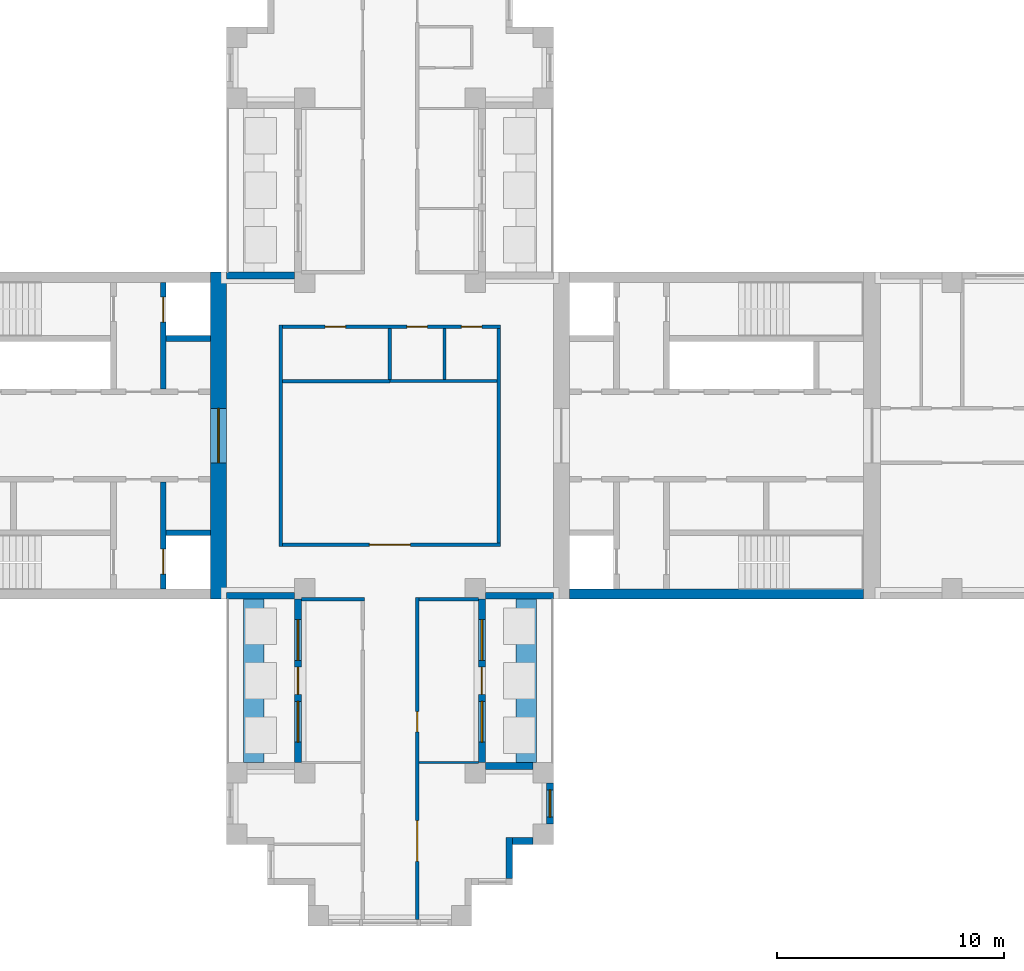
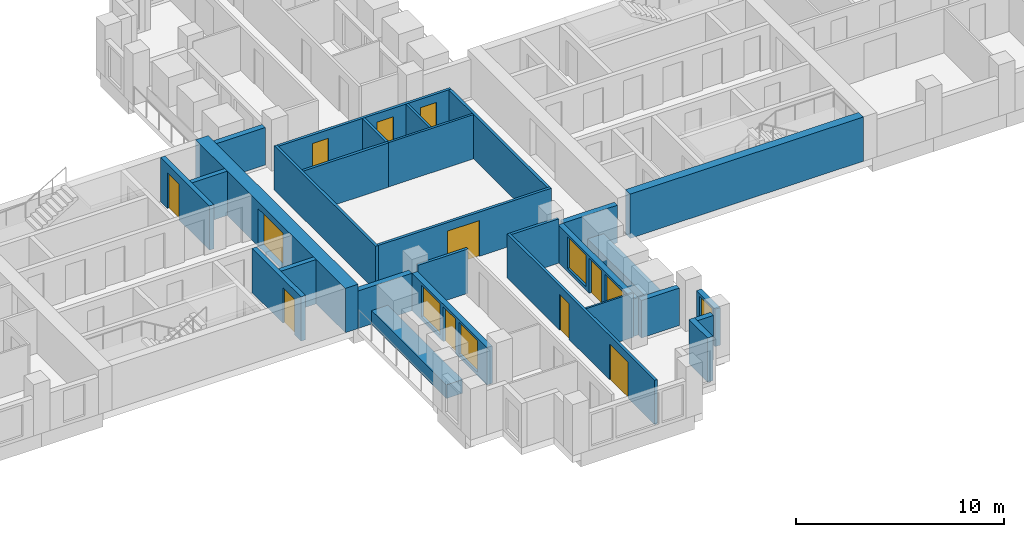
# One storey, part 5 of 11: 29 walls, 11 doors, 5 windows, 16 openings.
"""IFC4 building model written with IfcOpenShell, lengths in metres."""

from ifc_helpers import new_model, si_unit, direction, frame, frame_2d, origin, place, context, subcontext, project, spatial, rectangle, extrude, material, layer, layer_set, type_object, element, fill, save


model = new_model("IFC4")

# Units and contexts
model_context = context("Model", 3, precision=1e-05, world=origin(), true_north=direction((0.0, 1.0)))
body_context = subcontext(model_context, "Body", "Model", "MODEL_VIEW")
ifc_project = project(units=[si_unit("LENGTHUNIT", "METRE"), si_unit("AREAUNIT", "SQUARE_METRE"), si_unit("VOLUMEUNIT", "CUBIC_METRE"), si_unit("PLANEANGLEUNIT", "RADIAN"), si_unit("MASSUNIT", "GRAM", prefix="KILO")], contexts=[model_context])

# Site, building, storey
site_placement = place(None, origin())
site = spatial("IfcSite", under=ifc_project, at=site_placement, CompositionType="ELEMENT")
building_placement = place(site_placement, origin())
building = spatial("IfcBuilding", under=site, at=building_placement, Name="Fustian Cross Tower", CompositionType="ELEMENT")
storey_placement = place(building_placement, frame((0.0, 0.0, 138.300048828125)))
storey = spatial("IfcBuildingStorey", under=building, at=storey_placement, Name="L43", CompositionType="ELEMENT", Elevation=138.300048828125)

# Wall
ifc_material_1 = material(Name="Plasterboard on steel stud", Category="steel")
ifc_layer_1 = layer(ifc_material_1, 0.14990234375)
ifc_layer_set_1 = layer_set([ifc_layer_1], Name="Plasterboard on steel stud")
wall_type_1 = type_object("IfcWallType", Name="COMPARTMENT WALL 150 EI 60", PredefinedType="PARTITIONING", material=ifc_layer_set_1)
wall_1_placement = place(storey_placement, frame((-4.800048828125, -4.875, 0.0), z_axis=(0.0, 0.0, 1.0), x_axis=(0.0, 1.0, 0.0)))
element("IfcWall", 1, at=wall_1_placement, inside=storey, type_object=wall_type_1, Name="Partition 12", PredefinedType="PARTITIONING", context=body_context, shape_type="SweptSolid", body=[
    extrude(rectangle(XDim=9.75, YDim=0.14990234375, at=frame_2d((4.875, 0.0))), origin(), (0.0, 0.0, 1.0), 2.599853515625),
])

# Wall, opening, door
wall_2_placement = place(storey_placement, frame((-4.72509765625, -4.800048828125, 0.0), z_axis=(0.0, 0.0, 1.0), x_axis=(1.0, 0.0, 0.0)))
wall_2 = element("IfcWall", 2, at=wall_2_placement, inside=storey, type_object=wall_type_1, Name="Partition 13", PredefinedType="PARTITIONING", context=body_context, shape_type="SweptSolid", body=[
    extrude(rectangle(XDim=9.60009765625, YDim=0.14990234375, at=frame_2d((4.800048828125, 0.0))), origin(), (0.0, 0.0, 1.0), 2.599853515625),
])
opening_1_placement = place(wall_2_placement, frame((3.824951171875, 0.0, 0.0)))
opening_1 = element("IfcOpeningElement", 3, at=opening_1_placement, cuts=wall_2, Name="Opening D20004", PredefinedType="OPENING", context=body_context, shape_type="SweptSolid", body=[
    extrude(rectangle(XDim=1.800048828125, YDim=2.10009765625, at=frame_2d((0.89990234375, 1.050048828125))), frame((0.0, 0.0849609375, 0.0), z_axis=(0.0, -1.0, 0.0), x_axis=(1.0, 0.0, 0.0)), (0.0, 0.0, 1.0), 0.169921875),
])
ifc_material_2 = material(Name="Timber fire door set", Category="wood")
door_type_1 = type_object("IfcDoorType", Name="FIRE DOUBLE DOOR 1800 FD30S", OperationType="DOUBLE_DOOR_DOUBLE_SWING", PredefinedType="DOOR", material=ifc_material_2)
door_1_placement = place(opening_1_placement, frame((1.800048828125, 0.0, 0.0), z_axis=(0.0, 0.0, 1.0), x_axis=(-1.0, 0.0, 0.0)))
door_1 = element("IfcDoor", 4, at=door_1_placement, inside=storey, type_object=door_type_1, Name="Door D20004", OperationType="DOUBLE_DOOR_DOUBLE_SWING", OverallHeight=2.10009765625, OverallWidth=1.800048828125, PredefinedType="DOOR", context=body_context, shape_type="SweptSolid", body=[
    extrude(rectangle(XDim=1.800048828125, YDim=2.10009765625, at=frame_2d((0.89990234375, 1.050048828125))), frame((0.0, 0.02490234375, 0.0), z_axis=(0.0, -1.0, 0.0), x_axis=(1.0, 0.0, 0.0)), (0.0, 0.0, 1.0), 0.050048828125),
])
fill(opening_1, door_1)

# Wall
wall_3_placement = place(storey_placement, frame((-4.72509765625, 2.39990234375, 0.0), z_axis=(0.0, 0.0, 1.0), x_axis=(1.0, 0.0, 0.0)))
element("IfcWall", 5, at=wall_3_placement, inside=storey, type_object=wall_type_1, Name="Partition 14", PredefinedType="PARTITIONING", context=body_context, shape_type="SweptSolid", body=[
    extrude(rectangle(XDim=4.72509765625, YDim=0.14990234375, at=frame_2d((2.362548828125, 0.0))), origin(), (0.0, 0.0, 1.0), 2.599853515625),
])

# Wall, openings, doors
wall_4_placement = place(storey_placement, frame((-4.72509765625, 4.800048828125, 0.0), z_axis=(0.0, 0.0, 1.0), x_axis=(1.0, 0.0, 0.0)))
wall_4 = element("IfcWall", 6, at=wall_4_placement, inside=storey, type_object=wall_type_1, Name="Partition 15", PredefinedType="PARTITIONING", context=body_context, shape_type="SweptSolid", body=[
    extrude(rectangle(XDim=9.60009765625, YDim=0.14990234375, at=frame_2d((4.800048828125, 0.0))), origin(), (0.0, 0.0, 1.0), 2.599853515625),
])
opening_2_placement = place(wall_4_placement, frame((7.875, 0.0, 0.0)))
opening_2 = element("IfcOpeningElement", 7, at=opening_2_placement, cuts=wall_4, Name="Opening D20001", PredefinedType="OPENING", context=body_context, shape_type="SweptSolid", body=[
    extrude(rectangle(XDim=0.89990234375, YDim=2.10009765625, at=frame_2d((0.449951171875, 1.050048828125))), frame((0.0, 0.0849609375, 0.0), z_axis=(0.0, -1.0, 0.0), x_axis=(1.0, 0.0, 0.0)), (0.0, 0.0, 1.0), 0.169921875),
])
opening_3_placement = place(wall_4_placement, frame((5.47509765625, 0.0, 0.0)))
opening_3 = element("IfcOpeningElement", 8, at=opening_3_placement, cuts=wall_4, Name="Opening D20002", PredefinedType="OPENING", context=body_context, shape_type="SweptSolid", body=[
    extrude(rectangle(XDim=0.89990234375, YDim=2.10009765625, at=frame_2d((0.449951171875, 1.050048828125))), frame((0.0, 0.0849609375, 0.0), z_axis=(0.0, -1.0, 0.0), x_axis=(1.0, 0.0, 0.0)), (0.0, 0.0, 1.0), 0.169921875),
])
opening_4_placement = place(wall_4_placement, frame((1.875, 0.0, 0.0)))
opening_4 = element("IfcOpeningElement", 9, at=opening_4_placement, cuts=wall_4, Name="Opening D20003", PredefinedType="OPENING", context=body_context, shape_type="SweptSolid", body=[
    extrude(rectangle(XDim=0.89990234375, YDim=2.10009765625, at=frame_2d((0.449951171875, 1.050048828125))), frame((0.0, 0.0849609375, 0.0), z_axis=(0.0, -1.0, 0.0), x_axis=(1.0, 0.0, 0.0)), (0.0, 0.0, 1.0), 0.169921875),
])
ifc_material_3 = material(Name="Timber fire door set", Category="wood")
door_type_2 = type_object("IfcDoorType", Name="FIRE SWING DOOR 900 FD30S", OperationType="SINGLE_SWING_LEFT", PredefinedType="DOOR", material=ifc_material_3)
door_2_placement = place(opening_2_placement, frame((0.89990234375, 0.0, 0.0), z_axis=(0.0, 0.0, 1.0), x_axis=(-1.0, 0.0, 0.0)))
door_2 = element("IfcDoor", 10, at=door_2_placement, inside=storey, type_object=door_type_2, Name="Door D20001", OperationType="SINGLE_SWING_RIGHT", OverallHeight=2.10009765625, OverallWidth=0.89990234375, PredefinedType="DOOR", context=body_context, shape_type="SweptSolid", body=[
    extrude(rectangle(XDim=0.89990234375, YDim=2.10009765625, at=frame_2d((0.449951171875, 1.050048828125))), frame((0.0, 0.02490234375, 0.0), z_axis=(0.0, -1.0, 0.0), x_axis=(1.0, 0.0, 0.0)), (0.0, 0.0, 1.0), 0.050048828125),
])
fill(opening_2, door_2)
door_3_placement = place(opening_3_placement, frame((0.89990234375, 0.0, 0.0), z_axis=(0.0, 0.0, 1.0), x_axis=(-1.0, 0.0, 0.0)))
door_3 = element("IfcDoor", 11, at=door_3_placement, inside=storey, type_object=door_type_2, Name="Door D20002", OperationType="SINGLE_SWING_RIGHT", OverallHeight=2.10009765625, OverallWidth=0.89990234375, PredefinedType="DOOR", context=body_context, shape_type="SweptSolid", body=[
    extrude(rectangle(XDim=0.89990234375, YDim=2.10009765625, at=frame_2d((0.449951171875, 1.050048828125))), frame((0.0, 0.02490234375, 0.0), z_axis=(0.0, -1.0, 0.0), x_axis=(1.0, 0.0, 0.0)), (0.0, 0.0, 1.0), 0.050048828125),
])
fill(opening_3, door_3)
door_4_placement = place(opening_4_placement, frame((0.89990234375, 0.0, 0.0), z_axis=(0.0, 0.0, 1.0), x_axis=(-1.0, 0.0, 0.0)))
door_4 = element("IfcDoor", 12, at=door_4_placement, inside=storey, type_object=door_type_2, Name="Door D20003", OperationType="SINGLE_SWING_RIGHT", OverallHeight=2.10009765625, OverallWidth=0.89990234375, PredefinedType="DOOR", context=body_context, shape_type="SweptSolid", body=[
    extrude(rectangle(XDim=0.89990234375, YDim=2.10009765625, at=frame_2d((0.449951171875, 1.050048828125))), frame((0.0, 0.02490234375, 0.0), z_axis=(0.0, -1.0, 0.0), x_axis=(1.0, 0.0, 0.0)), (0.0, 0.0, 1.0), 0.050048828125),
])
fill(opening_4, door_4)

# Walls
wall_5_placement = place(storey_placement, frame((-3.89990234375, -7.199951171875, 0.0), z_axis=(0.0, 0.0, 1.0), x_axis=(1.0, 0.0, 0.0)))
element("IfcWall", 13, at=wall_5_placement, inside=storey, type_object=wall_type_1, Name="Partition 17", PredefinedType="PARTITIONING", context=body_context, shape_type="SweptSolid", body=[
    extrude(rectangle(XDim=2.77490234375, YDim=0.14990234375, at=frame_2d((1.387451171875, 0.0))), origin(), (0.0, 0.0, 1.0), 2.599853515625),
])
wall_6_placement = place(storey_placement, frame((0.0, 2.47509765625, 0.0), z_axis=(0.0, 0.0, 1.0), x_axis=(0.0, 1.0, 0.0)))
element("IfcWall", 14, at=wall_6_placement, inside=storey, type_object=wall_type_1, Name="Partition 22", PredefinedType="PARTITIONING", context=body_context, shape_type="SweptSolid", body=[
    extrude(rectangle(XDim=2.25, YDim=0.14990234375, at=frame_2d((1.125, 0.0))), origin(), (0.0, 0.0, 1.0), 2.599853515625),
])

# Wall, openings, doors
wall_7_placement = place(storey_placement, frame((1.199951171875, -21.300048828125, 0.0), z_axis=(0.0, 0.0, 1.0), x_axis=(0.0, 1.0, 0.0)))
wall_7 = element("IfcWall", 15, at=wall_7_placement, inside=storey, type_object=wall_type_1, Name="Partition 24", PredefinedType="PARTITIONING", context=body_context, shape_type="SweptSolid", body=[
    extrude(rectangle(XDim=14.175048828125, YDim=0.14990234375, at=frame_2d((7.08740234375, 0.0))), origin(), (0.0, 0.0, 1.0), 2.599853515625),
])
opening_5_placement = place(wall_7_placement, frame((8.25, 0.0, 0.0)))
opening_5 = element("IfcOpeningElement", 16, at=opening_5_placement, cuts=wall_7, Name="Opening D20028", PredefinedType="OPENING", context=body_context, shape_type="SweptSolid", body=[
    extrude(rectangle(XDim=0.89990234375, YDim=2.10009765625, at=frame_2d((0.449951171875, 1.050048828125))), frame((0.0, 0.0849609375, 0.0), z_axis=(0.0, -1.0, 0.0), x_axis=(1.0, 0.0, 0.0)), (0.0, 0.0, 1.0), 0.169921875),
])
opening_6_placement = place(wall_7_placement, frame((2.550048828125, 0.0, 0.0)))
opening_6 = element("IfcOpeningElement", 17, at=opening_6_placement, cuts=wall_7, Name="Opening D20029", PredefinedType="OPENING", context=body_context, shape_type="SweptSolid", body=[
    extrude(rectangle(XDim=1.800048828125, YDim=2.10009765625, at=frame_2d((0.89990234375, 1.050048828125))), frame((0.0, 0.0849609375, 0.0), z_axis=(0.0, -1.0, 0.0), x_axis=(1.0, 0.0, 0.0)), (0.0, 0.0, 1.0), 0.169921875),
])
door_5_placement = place(opening_6_placement, origin())
door_5 = element("IfcDoor", 18, at=door_5_placement, inside=storey, type_object=door_type_1, Name="Door D20029", OperationType="DOUBLE_DOOR_DOUBLE_SWING", OverallHeight=2.10009765625, OverallWidth=1.800048828125, PredefinedType="DOOR", context=body_context, shape_type="SweptSolid", body=[
    extrude(rectangle(XDim=1.800048828125, YDim=2.10009765625, at=frame_2d((0.89990234375, 1.050048828125))), frame((0.0, 0.02490234375, 0.0), z_axis=(0.0, -1.0, 0.0), x_axis=(1.0, 0.0, 0.0)), (0.0, 0.0, 1.0), 0.050048828125),
])
fill(opening_6, door_5)
door_6_placement = place(opening_5_placement, frame((0.89990234375, 0.0, 0.0), z_axis=(0.0, 0.0, 1.0), x_axis=(-1.0, 0.0, 0.0)))
door_6 = element("IfcDoor", 19, at=door_6_placement, inside=storey, type_object=door_type_2, Name="Door D20028", OperationType="SINGLE_SWING_RIGHT", OverallHeight=2.10009765625, OverallWidth=0.89990234375, PredefinedType="DOOR", context=body_context, shape_type="SweptSolid", body=[
    extrude(rectangle(XDim=0.89990234375, YDim=2.10009765625, at=frame_2d((0.449951171875, 1.050048828125))), frame((0.0, 0.02490234375, 0.0), z_axis=(0.0, -1.0, 0.0), x_axis=(1.0, 0.0, 0.0)), (0.0, 0.0, 1.0), 0.050048828125),
])
fill(opening_5, door_6)

# Walls
wall_8_placement = place(storey_placement, frame((1.27490234375, -7.199951171875, 0.0), z_axis=(0.0, 0.0, 1.0), x_axis=(1.0, 0.0, 0.0)))
element("IfcWall", 20, at=wall_8_placement, inside=storey, type_object=wall_type_1, Name="Partition 26", PredefinedType="PARTITIONING", context=body_context, shape_type="SweptSolid", body=[
    extrude(rectangle(XDim=2.625, YDim=0.14990234375, at=frame_2d((1.3125, 0.0))), origin(), (0.0, 0.0, 1.0), 2.599853515625),
])
wall_9_placement = place(storey_placement, frame((4.800048828125, -4.72509765625, 0.0), z_axis=(0.0, 0.0, 1.0), x_axis=(0.0, 1.0, 0.0)))
element("IfcWall", 21, at=wall_9_placement, inside=storey, type_object=wall_type_1, Name="Partition 35", PredefinedType="PARTITIONING", context=body_context, shape_type="SweptSolid", body=[
    extrude(rectangle(XDim=9.4501953125, YDim=0.14990234375, at=frame_2d((4.72509765625, 0.0))), origin(), (0.0, 0.0, 1.0), 2.599853515625),
])

# Wall, opening, door
ifc_material_4 = material(Name="Concrete C60/75", Category="concrete")
ifc_layer_2 = layer(ifc_material_4, 0.699951171875)
ifc_layer_set_2 = layer_set([ifc_layer_2], Name="Concrete C60/75")
wall_type_2 = type_object("IfcWallType", Name="CORE END WALL 700 C60/75", PredefinedType="SHEAR", material=ifc_layer_set_2)
wall_10_placement = place(storey_placement, frame((-7.550048828125, -7.199951171875, 0.0), z_axis=(0.0, 0.0, 1.0), x_axis=(0.0, 1.0, 0.0)))
wall_10 = element("IfcWall", 22, at=wall_10_placement, inside=storey, type_object=wall_type_2, Name="Core end wall", PredefinedType="SHEAR", context=body_context, shape_type="SweptSolid", body=[
    extrude(rectangle(XDim=14.39990234375, YDim=0.699951171875, at=frame_2d((7.199951171875, 0.0))), origin(), (0.0, 0.0, 1.0), 2.599853515625),
])
opening_7_placement = place(wall_10_placement, frame((6.0, 0.0, 0.0)))
opening_7 = element("IfcOpeningElement", 23, at=opening_7_placement, cuts=wall_10, Name="Opening CD-18-28", PredefinedType="OPENING", context=body_context, shape_type="SweptSolid", body=[
    extrude(rectangle(XDim=2.39990234375, YDim=2.199951171875, at=frame_2d((1.199951171875, 1.10009765625))), frame((0.0, 0.35986328125, 0.0), z_axis=(0.0, -1.0, 0.0), x_axis=(1.0, 0.0, 0.0)), (0.0, 0.0, 1.0), 0.719970703125),
])
ifc_material_5 = material(Name="Steel", Category="steel")
door_type_3 = type_object("IfcDoorType", Name="FIRE DOOR FD30S DOUBLE 2400X2200", OperationType="DOUBLE_DOOR_DOUBLE_SWING", PredefinedType="DOOR", material=ifc_material_5)
door_7_placement = place(opening_7_placement, origin())
door_7 = element("IfcDoor", 24, at=door_7_placement, inside=storey, type_object=door_type_3, Name="Core door CD-18-28", OperationType="DOUBLE_DOOR_DOUBLE_SWING", OverallHeight=2.199951171875, OverallWidth=2.39990234375, PredefinedType="DOOR", context=body_context, shape_type="SweptSolid", body=[
    extrude(rectangle(XDim=2.39990234375, YDim=2.199951171875, at=frame_2d((1.199951171875, 1.10009765625))), frame((0.0, 0.02490234375, 0.0), z_axis=(0.0, -1.0, 0.0), x_axis=(1.0, 0.0, 0.0)), (0.0, 0.0, 1.0), 0.050048828125),
])
fill(opening_7, door_7)

# Walls
ifc_material_6 = material(Name="Concrete C60/75", Category="concrete")
ifc_layer_3 = layer(ifc_material_6, 0.449951171875)
ifc_layer_set_3 = layer_set([ifc_layer_3], Name="Concrete C60/75")
wall_type_3 = type_object("IfcWallType", Name="CORE FACADE WALL 450 C60/75", PredefinedType="SHEAR", material=ifc_layer_set_3)
wall_11_placement = place(storey_placement, frame((7.89990234375, -6.97509765625, 0.0), z_axis=(0.0, 0.0, 1.0), x_axis=(1.0, 0.0, 0.0)))
element("IfcWall", 25, at=wall_11_placement, inside=storey, type_object=wall_type_3, Name="Core facade wall", PredefinedType="SHEAR", context=body_context, shape_type="SweptSolid", body=[
    extrude(rectangle(XDim=12.9501953125, YDim=0.449951171875, at=frame_2d((6.47509765625, 0.0))), origin(), (0.0, 0.0, 1.0), 2.599853515625),
])
ifc_material_7 = material(Name="Concrete C50/60", Category="concrete")
ifc_layer_4 = layer(ifc_material_7, 0.25)
ifc_layer_set_4 = layer_set([ifc_layer_4], Name="Concrete C50/60")
wall_type_4 = type_object("IfcWallType", Name="CORE SHAFT WALL 250 C50/60", PredefinedType="SHEAR", material=ifc_layer_set_4)
wall_12_placement = place(storey_placement, frame((-7.89990234375, 4.27490234375, 0.0), z_axis=(0.0, 0.0, 1.0), x_axis=(-1.0, 0.0, 0.0)))
element("IfcWall", 26, at=wall_12_placement, inside=storey, type_object=wall_type_4, Name="Core shaft wall", PredefinedType="SHEAR", context=body_context, shape_type="SweptSolid", body=[
    extrude(rectangle(XDim=1.9501953125, YDim=0.25, at=frame_2d((0.97509765625, 0.0))), origin(), (0.0, 0.0, 1.0), 2.599853515625),
])

# Wall, opening, door
wall_13_placement = place(storey_placement, frame((-9.97509765625, 2.050048828125, 0.0), z_axis=(0.0, 0.0, 1.0), x_axis=(0.0, 1.0, 0.0)))
wall_13 = element("IfcWall", 27, at=wall_13_placement, inside=storey, type_object=wall_type_4, Name="Core shaft wall", PredefinedType="SHEAR", context=body_context, shape_type="SweptSolid", body=[
    extrude(rectangle(XDim=4.699951171875, YDim=0.25, at=frame_2d((2.35009765625, 0.0))), origin(), (0.0, 0.0, 1.0), 2.599853515625),
])
opening_8_placement = place(wall_13_placement, frame((2.949951171875, 0.0, 0.0)))
opening_8 = element("IfcOpeningElement", 28, at=opening_8_placement, cuts=wall_13, Name="Opening LD", PredefinedType="OPENING", context=body_context, shape_type="SweptSolid", body=[
    extrude(rectangle(XDim=1.10009765625, YDim=2.10009765625, at=frame_2d((0.550048828125, 1.050048828125))), frame((0.0, 0.135009765625, 0.0), z_axis=(0.0, -1.0, 0.0), x_axis=(1.0, 0.0, 0.0)), (0.0, 0.0, 1.0), 0.27001953125),
])
ifc_material_8 = material(Name="Stainless steel", Category="steel")
door_type_4 = type_object("IfcDoorType", Name="LIFT LANDING DOOR 1100X2100", OperationType="SLIDING_TO_LEFT", PredefinedType="DOOR", material=ifc_material_8)
door_8_placement = place(opening_8_placement, origin())
door_8 = element("IfcDoor", 29, at=door_8_placement, inside=storey, type_object=door_type_4, Name="Landing door FL1W", OperationType="SLIDING_TO_LEFT", OverallHeight=2.10009765625, OverallWidth=1.10009765625, PredefinedType="DOOR", context=body_context, shape_type="SweptSolid", body=[
    extrude(rectangle(XDim=1.10009765625, YDim=2.10009765625, at=frame_2d((0.550048828125, 1.050048828125))), frame((0.0, 0.02490234375, 0.0), z_axis=(0.0, -1.0, 0.0), x_axis=(1.0, 0.0, 0.0)), (0.0, 0.0, 1.0), 0.050048828125),
])
fill(opening_8, door_8)

# Wall
wall_14_placement = place(storey_placement, frame((-7.89990234375, -4.27490234375, 0.0), z_axis=(0.0, 0.0, 1.0), x_axis=(-1.0, 0.0, 0.0)))
element("IfcWall", 30, at=wall_14_placement, inside=storey, type_object=wall_type_4, Name="Core shaft wall", PredefinedType="SHEAR", context=body_context, shape_type="SweptSolid", body=[
    extrude(rectangle(XDim=1.9501953125, YDim=0.25, at=frame_2d((0.97509765625, 0.0))), origin(), (0.0, 0.0, 1.0), 2.599853515625),
])

# Wall, opening, door
wall_15_placement = place(storey_placement, frame((-9.97509765625, -2.050048828125, 0.0), z_axis=(0.0, 0.0, 1.0), x_axis=(0.0, -1.0, 0.0)))
wall_15 = element("IfcWall", 31, at=wall_15_placement, inside=storey, type_object=wall_type_4, Name="Core shaft wall", PredefinedType="SHEAR", context=body_context, shape_type="SweptSolid", body=[
    extrude(rectangle(XDim=4.699951171875, YDim=0.25, at=frame_2d((2.35009765625, 0.0))), origin(), (0.0, 0.0, 1.0), 2.599853515625),
])
opening_9_placement = place(wall_15_placement, frame((2.949951171875, 0.0, 0.0)))
opening_9 = element("IfcOpeningElement", 32, at=opening_9_placement, cuts=wall_15, Name="Opening LD", PredefinedType="OPENING", context=body_context, shape_type="SweptSolid", body=[
    extrude(rectangle(XDim=1.10009765625, YDim=2.10009765625, at=frame_2d((0.550048828125, 1.050048828125))), frame((0.0, 0.135009765625, 0.0), z_axis=(0.0, -1.0, 0.0), x_axis=(1.0, 0.0, 0.0)), (0.0, 0.0, 1.0), 0.27001953125),
])
door_9_placement = place(opening_9_placement, origin())
door_9 = element("IfcDoor", 33, at=door_9_placement, inside=storey, type_object=door_type_4, Name="Landing door SV1W", OperationType="SLIDING_TO_LEFT", OverallHeight=2.10009765625, OverallWidth=1.10009765625, PredefinedType="DOOR", context=body_context, shape_type="SweptSolid", body=[
    extrude(rectangle(XDim=1.10009765625, YDim=2.10009765625, at=frame_2d((0.550048828125, 1.050048828125))), frame((0.0, 0.02490234375, 0.0), z_axis=(0.0, -1.0, 0.0), x_axis=(1.0, 0.0, 0.0)), (0.0, 0.0, 1.0), 0.050048828125),
])
fill(opening_9, door_9)

# Walls
ifc_material_9 = material(Name="Plasterboard on steel stud", Category="steel")
ifc_layer_5 = layer(ifc_material_9, 0.10009765625)
ifc_layer_set_5 = layer_set([ifc_layer_5], Name="Plasterboard on steel stud")
wall_type_5 = type_object("IfcWallType", Name="PARTITION 100 STUD", PredefinedType="PARTITIONING", material=ifc_layer_set_5)
wall_16_placement = place(storey_placement, frame((1.27490234375, -14.39990234375, 0.0), z_axis=(0.0, 0.0, 1.0), x_axis=(1.0, 0.0, 0.0)))
element("IfcWall", 34, at=wall_16_placement, inside=storey, type_object=wall_type_5, Name="Partition 25", PredefinedType="PARTITIONING", context=body_context, shape_type="SweptSolid", body=[
    extrude(rectangle(XDim=2.625, YDim=0.10009765625, at=frame_2d((1.3125, 0.0))), origin(), (0.0, 0.0, 1.0), 2.599853515625),
])
ifc_material_10 = material(Name="Concrete C40/50", Category="concrete")
ifc_layer_6 = layer(ifc_material_10, 0.89990234375)
ifc_layer_set_6 = layer_set([ifc_layer_6], Name="Concrete C40/50")
wall_type_6 = type_object("IfcWallType", Name="PK1 PLANTER 900", PredefinedType="PARAPET", material=ifc_layer_set_6)
for number, where, z_axis, x_axis, name in (
    (35, (6.0, -14.39990234375, 0.0), (0.0, 0.0, 1.0), (0.0, 1.0, 0.0), "PLANTER"),
    (36, (-6.0, -14.39990234375, 0.0), (0.0, 0.0, 1.0), (0.0, 1.0, 0.0), "PLANTER"),
):
    element("IfcWall", number, at=place(storey_placement, frame(where, z_axis=z_axis, x_axis=x_axis)), inside=storey, type_object=wall_type_6, Name=name, PredefinedType="PARAPET", context=body_context, shape_type="SweptSolid", body=[
        extrude(rectangle(XDim=7.199951171875, YDim=0.89990234375, at=frame_2d((3.60009765625, 0.0))), origin(), (0.0, 0.0, 1.0), 0.800048828125),
    ])
ifc_material_11 = material(Name="Plasterboard on steel stud", Category="steel")
ifc_layer_7 = layer(ifc_material_11, 0.125)
ifc_layer_set_7 = layer_set([ifc_layer_7], Name="Plasterboard on steel stud")
wall_type_7 = type_object("IfcWallType", Name="WET WALL 125 STUD", PredefinedType="PARTITIONING", material=ifc_layer_set_7)
wall_17_placement = place(storey_placement, frame((0.0, 2.39990234375, 0.0), z_axis=(0.0, 0.0, 1.0), x_axis=(1.0, 0.0, 0.0)))
element("IfcWall", 37, at=wall_17_placement, inside=storey, type_object=wall_type_7, Name="Partition 23", PredefinedType="PARTITIONING", context=body_context, shape_type="SweptSolid", body=[
    extrude(rectangle(XDim=4.72509765625, YDim=0.125, at=frame_2d((2.362548828125, 0.0))), origin(), (0.0, 0.0, 1.0), 2.599853515625),
])
wall_18_placement = place(storey_placement, frame((2.39990234375, 2.46240234375, 0.0), z_axis=(0.0, 0.0, 1.0), x_axis=(0.0, 1.0, 0.0)))
element("IfcWall", 38, at=wall_18_placement, inside=storey, type_object=wall_type_7, Name="Partition 33", PredefinedType="PARTITIONING", context=body_context, shape_type="SweptSolid", body=[
    extrude(rectangle(XDim=2.2626953125, YDim=0.125, at=frame_2d((1.13134765625, 0.0))), origin(), (0.0, 0.0, 1.0), 2.599853515625),
])
ifc_material_12 = material(Name="Dark aluminium cladding on insulated backing wall", Category="aluminium")
ifc_layer_8 = layer(ifc_material_12, 0.300048828125)
ifc_layer_set_8 = layer_set([ifc_layer_8], Name="Dark aluminium cladding on insulated backing wall")
wall_type_8 = type_object("IfcWallType", Name="XW1 EXTERNAL WALL 300", PredefinedType="SOLIDWALL", material=ifc_layer_set_8)
for number, where, z_axis, x_axis, name in (
    (39, (-4.199951171875, 7.050048828125, 0.0), (0.0, 0.0, 1.0), (-1.0, 0.0, 0.0), "External wall"),
    (40, (-7.199951171875, -7.050048828125, 0.0), (0.0, 0.0, 1.0), (1.0, 0.0, 0.0), "External wall"),
):
    element("IfcWall", number, at=place(storey_placement, frame(where, z_axis=z_axis, x_axis=x_axis)), inside=storey, type_object=wall_type_8, Name=name, PredefinedType="SOLIDWALL", context=body_context, shape_type="SweptSolid", body=[
        extrude(rectangle(XDim=3.0, YDim=0.300048828125, at=frame_2d((1.5, 0.0))), origin(), (0.0, 0.0, 1.0), 2.199951171875),
    ])

# Wall, openings, door, windows
wall_19_placement = place(storey_placement, frame((-4.050048828125, -7.199951171875, 0.0), z_axis=(0.0, 0.0, 1.0), x_axis=(0.0, -1.0, 0.0)))
wall_19 = element("IfcWall", 41, at=wall_19_placement, inside=storey, type_object=wall_type_8, Name="External wall", PredefinedType="SOLIDWALL", context=body_context, shape_type="SweptSolid", body=[
    extrude(rectangle(XDim=7.199951171875, YDim=0.300048828125, at=frame_2d((3.60009765625, 0.0))), origin(), (0.0, 0.0, 1.0), 2.199951171875),
])
opening_10_placement = place(wall_19_placement, frame((3.0, 0.0, 0.0)))
opening_10 = element("IfcOpeningElement", 42, at=opening_10_placement, cuts=wall_19, Name="Opening XD4", PredefinedType="OPENING", context=body_context, shape_type="SweptSolid", body=[
    extrude(rectangle(XDim=1.199951171875, YDim=2.050048828125, at=frame_2d((0.60009765625, 1.02490234375))), frame((0.0, 0.159912109375, 0.0), z_axis=(0.0, -1.0, 0.0), x_axis=(1.0, 0.0, 0.0)), (0.0, 0.0, 1.0), 0.320068359375),
])
opening_11_placement = place(wall_19_placement, frame((0.89990234375, 0.0, 0.199951171875)))
opening_11 = element("IfcOpeningElement", 43, at=opening_11_placement, cuts=wall_19, Name="Opening WN2", PredefinedType="OPENING", context=body_context, shape_type="SweptSolid", body=[
    extrude(rectangle(XDim=1.800048828125, YDim=1.85009765625, at=frame_2d((0.89990234375, 0.925048828125))), frame((0.0, 0.159912109375, 0.0), z_axis=(0.0, -1.0, 0.0), x_axis=(1.0, 0.0, 0.0)), (0.0, 0.0, 1.0), 0.320068359375),
])
opening_12_placement = place(wall_19_placement, frame((4.5, 0.0, 0.199951171875)))
opening_12 = element("IfcOpeningElement", 44, at=opening_12_placement, cuts=wall_19, Name="Opening WN2", PredefinedType="OPENING", context=body_context, shape_type="SweptSolid", body=[
    extrude(rectangle(XDim=1.800048828125, YDim=1.85009765625, at=frame_2d((0.89990234375, 0.925048828125))), frame((0.0, 0.159912109375, 0.0), z_axis=(0.0, -1.0, 0.0), x_axis=(1.0, 0.0, 0.0)), (0.0, 0.0, 1.0), 0.320068359375),
])
ifc_material_13 = material(Name="Dark anodised aluminium and double glazing", Category="aluminium")
door_type_5 = type_object("IfcDoorType", Name="ED1 BALCONY DOOR 1200X2050", OperationType="SINGLE_SWING_LEFT", PredefinedType="DOOR", material=ifc_material_13)
door_10_placement = place(opening_10_placement, origin())
door_10 = element("IfcDoor", 45, at=door_10_placement, inside=storey, type_object=door_type_5, Name="Balcony door", OperationType="SINGLE_SWING_LEFT", OverallHeight=2.050048828125, OverallWidth=1.199951171875, PredefinedType="DOOR", context=body_context, shape_type="SweptSolid", body=[
    extrude(rectangle(XDim=1.199951171875, YDim=2.050048828125, at=frame_2d((0.60009765625, 1.02490234375))), frame((0.0, 0.02490234375, 0.0), z_axis=(0.0, -1.0, 0.0), x_axis=(1.0, 0.0, 0.0)), (0.0, 0.0, 1.0), 0.050048828125),
])
fill(opening_10, door_10)
ifc_material_14 = material(Name="Dark anodised aluminium and double glazing", Category="aluminium")
window_type_1 = type_object("IfcWindowType", Name="WN2 WINDOW 1800X1850", PartitioningType="SINGLE_PANEL", PredefinedType="WINDOW", material=ifc_material_14)
window_1_placement = place(opening_11_placement, origin())
window_1 = element("IfcWindow", 46, at=window_1_placement, inside=storey, type_object=window_type_1, Name="Window", OverallHeight=1.85009765625, OverallWidth=1.800048828125, PartitioningType="SINGLE_PANEL", PredefinedType="WINDOW", context=body_context, shape_type="SweptSolid", body=[
    extrude(rectangle(XDim=1.800048828125, YDim=1.85009765625, at=frame_2d((0.89990234375, 0.925048828125))), frame((0.0, 0.030029296875, 0.0), z_axis=(0.0, -1.0, 0.0), x_axis=(1.0, 0.0, 0.0)), (0.0, 0.0, 1.0), 0.06005859375),
])
fill(opening_11, window_1)
window_2_placement = place(opening_12_placement, origin())
window_2 = element("IfcWindow", 47, at=window_2_placement, inside=storey, type_object=window_type_1, Name="Window", OverallHeight=1.85009765625, OverallWidth=1.800048828125, PartitioningType="SINGLE_PANEL", PredefinedType="WINDOW", context=body_context, shape_type="SweptSolid", body=[
    extrude(rectangle(XDim=1.800048828125, YDim=1.85009765625, at=frame_2d((0.89990234375, 0.925048828125))), frame((0.0, 0.030029296875, 0.0), z_axis=(0.0, -1.0, 0.0), x_axis=(1.0, 0.0, 0.0)), (0.0, 0.0, 1.0), 0.06005859375),
])
fill(opening_12, window_2)

# Walls
wall_20_placement = place(storey_placement, frame((5.25, -19.5, 0.0), z_axis=(0.0, 0.0, 1.0), x_axis=(0.0, 1.0, 0.0)))
element("IfcWall", 48, at=wall_20_placement, inside=storey, type_object=wall_type_8, Name="External wall", PredefinedType="SOLIDWALL", context=body_context, shape_type="SweptSolid", body=[
    extrude(rectangle(XDim=1.800048828125, YDim=0.300048828125, at=frame_2d((0.89990234375, 0.0))), origin(), (0.0, 0.0, 1.0), 2.599853515625),
])
wall_21_placement = place(storey_placement, frame((5.39990234375, -17.85009765625, 0.0), z_axis=(0.0, 0.0, 1.0), x_axis=(1.0, 0.0, 0.0)))
element("IfcWall", 49, at=wall_21_placement, inside=storey, type_object=wall_type_8, Name="External wall", PredefinedType="SOLIDWALL", context=body_context, shape_type="SweptSolid", body=[
    extrude(rectangle(XDim=0.900146484375, YDim=0.300048828125, at=frame_2d((0.4501953125, 0.0))), origin(), (0.0, 0.0, 1.0), 2.599853515625),
])

# Wall, opening, window
wall_22_placement = place(storey_placement, frame((7.050048828125, -17.10009765625, 0.0), z_axis=(0.0, 0.0, 1.0), x_axis=(0.0, 1.0, 0.0)))
wall_22 = element("IfcWall", 50, at=wall_22_placement, inside=storey, type_object=wall_type_8, Name="External wall", PredefinedType="SOLIDWALL", context=body_context, shape_type="SweptSolid", body=[
    extrude(rectangle(XDim=1.800048828125, YDim=0.300048828125, at=frame_2d((0.89990234375, 0.0))), origin(), (0.0, 0.0, 1.0), 2.199951171875),
])
opening_13_placement = place(wall_22_placement, frame((0.300048828125, 0.0, 0.199951171875)))
opening_13 = element("IfcOpeningElement", 51, at=opening_13_placement, cuts=wall_22, Name="Opening WN3", PredefinedType="OPENING", context=body_context, shape_type="SweptSolid", body=[
    extrude(rectangle(XDim=1.199951171875, YDim=1.85009765625, at=frame_2d((0.60009765625, 0.925048828125))), frame((0.0, 0.159912109375, 0.0), z_axis=(0.0, -1.0, 0.0), x_axis=(1.0, 0.0, 0.0)), (0.0, 0.0, 1.0), 0.320068359375),
])
ifc_material_15 = material(Name="Dark anodised aluminium and double glazing", Category="aluminium")
window_type_2 = type_object("IfcWindowType", Name="WN3 WINDOW 1200X1850", PartitioningType="SINGLE_PANEL", PredefinedType="WINDOW", material=ifc_material_15)
window_3_placement = place(opening_13_placement, origin())
window_3 = element("IfcWindow", 52, at=window_3_placement, inside=storey, type_object=window_type_2, Name="Window", OverallHeight=1.85009765625, OverallWidth=1.199951171875, PartitioningType="SINGLE_PANEL", PredefinedType="WINDOW", context=body_context, shape_type="SweptSolid", body=[
    extrude(rectangle(XDim=1.199951171875, YDim=1.85009765625, at=frame_2d((0.60009765625, 0.925048828125))), frame((0.0, 0.030029296875, 0.0), z_axis=(0.0, -1.0, 0.0), x_axis=(1.0, 0.0, 0.0)), (0.0, 0.0, 1.0), 0.06005859375),
])
fill(opening_13, window_3)

# Wall
wall_23_placement = place(storey_placement, frame((6.300048828125, -14.550048828125, 0.0), z_axis=(0.0, 0.0, 1.0), x_axis=(-1.0, 0.0, 0.0)))
element("IfcWall", 53, at=wall_23_placement, inside=storey, type_object=wall_type_8, Name="External wall", PredefinedType="SOLIDWALL", context=body_context, shape_type="SweptSolid", body=[
    extrude(rectangle(XDim=2.10009765625, YDim=0.300048828125, at=frame_2d((1.050048828125, 0.0))), origin(), (0.0, 0.0, 1.0), 2.199951171875),
])

# Wall, openings, door, windows
wall_24_placement = place(storey_placement, frame((4.050048828125, -14.39990234375, 0.0), z_axis=(0.0, 0.0, 1.0), x_axis=(0.0, 1.0, 0.0)))
wall_24 = element("IfcWall", 54, at=wall_24_placement, inside=storey, type_object=wall_type_8, Name="External wall", PredefinedType="SOLIDWALL", context=body_context, shape_type="SweptSolid", body=[
    extrude(rectangle(XDim=7.199951171875, YDim=0.300048828125, at=frame_2d((3.60009765625, 0.0))), origin(), (0.0, 0.0, 1.0), 2.199951171875),
])
opening_14_placement = place(wall_24_placement, frame((3.0, 0.0, 0.0)))
opening_14 = element("IfcOpeningElement", 55, at=opening_14_placement, cuts=wall_24, Name="Opening XD3", PredefinedType="OPENING", context=body_context, shape_type="SweptSolid", body=[
    extrude(rectangle(XDim=1.199951171875, YDim=2.050048828125, at=frame_2d((0.60009765625, 1.02490234375))), frame((0.0, 0.159912109375, 0.0), z_axis=(0.0, -1.0, 0.0), x_axis=(1.0, 0.0, 0.0)), (0.0, 0.0, 1.0), 0.320068359375),
])
opening_15_placement = place(wall_24_placement, frame((0.89990234375, 0.0, 0.199951171875)))
opening_15 = element("IfcOpeningElement", 56, at=opening_15_placement, cuts=wall_24, Name="Opening WN2", PredefinedType="OPENING", context=body_context, shape_type="SweptSolid", body=[
    extrude(rectangle(XDim=1.800048828125, YDim=1.85009765625, at=frame_2d((0.89990234375, 0.925048828125))), frame((0.0, 0.159912109375, 0.0), z_axis=(0.0, -1.0, 0.0), x_axis=(1.0, 0.0, 0.0)), (0.0, 0.0, 1.0), 0.320068359375),
])
opening_16_placement = place(wall_24_placement, frame((4.5, 0.0, 0.199951171875)))
opening_16 = element("IfcOpeningElement", 57, at=opening_16_placement, cuts=wall_24, Name="Opening WN2", PredefinedType="OPENING", context=body_context, shape_type="SweptSolid", body=[
    extrude(rectangle(XDim=1.800048828125, YDim=1.85009765625, at=frame_2d((0.89990234375, 0.925048828125))), frame((0.0, 0.159912109375, 0.0), z_axis=(0.0, -1.0, 0.0), x_axis=(1.0, 0.0, 0.0)), (0.0, 0.0, 1.0), 0.320068359375),
])
door_11_placement = place(opening_14_placement, origin())
door_11 = element("IfcDoor", 58, at=door_11_placement, inside=storey, type_object=door_type_5, Name="Balcony door", OperationType="SINGLE_SWING_LEFT", OverallHeight=2.050048828125, OverallWidth=1.199951171875, PredefinedType="DOOR", context=body_context, shape_type="SweptSolid", body=[
    extrude(rectangle(XDim=1.199951171875, YDim=2.050048828125, at=frame_2d((0.60009765625, 1.02490234375))), frame((0.0, 0.02490234375, 0.0), z_axis=(0.0, -1.0, 0.0), x_axis=(1.0, 0.0, 0.0)), (0.0, 0.0, 1.0), 0.050048828125),
])
fill(opening_14, door_11)
window_4_placement = place(opening_15_placement, origin())
window_4 = element("IfcWindow", 59, at=window_4_placement, inside=storey, type_object=window_type_1, Name="Window", OverallHeight=1.85009765625, OverallWidth=1.800048828125, PartitioningType="SINGLE_PANEL", PredefinedType="WINDOW", context=body_context, shape_type="SweptSolid", body=[
    extrude(rectangle(XDim=1.800048828125, YDim=1.85009765625, at=frame_2d((0.89990234375, 0.925048828125))), frame((0.0, 0.030029296875, 0.0), z_axis=(0.0, -1.0, 0.0), x_axis=(1.0, 0.0, 0.0)), (0.0, 0.0, 1.0), 0.06005859375),
])
fill(opening_15, window_4)
window_5_placement = place(opening_16_placement, origin())
window_5 = element("IfcWindow", 60, at=window_5_placement, inside=storey, type_object=window_type_1, Name="Window", OverallHeight=1.85009765625, OverallWidth=1.800048828125, PartitioningType="SINGLE_PANEL", PredefinedType="WINDOW", context=body_context, shape_type="SweptSolid", body=[
    extrude(rectangle(XDim=1.800048828125, YDim=1.85009765625, at=frame_2d((0.89990234375, 0.925048828125))), frame((0.0, 0.030029296875, 0.0), z_axis=(0.0, -1.0, 0.0), x_axis=(1.0, 0.0, 0.0)), (0.0, 0.0, 1.0), 0.06005859375),
])
fill(opening_16, window_5)

# Wall
wall_25_placement = place(storey_placement, frame((4.199951171875, -7.050048828125, 0.0), z_axis=(0.0, 0.0, 1.0), x_axis=(1.0, 0.0, 0.0)))
element("IfcWall", 61, at=wall_25_placement, inside=storey, type_object=wall_type_8, Name="External wall", PredefinedType="SOLIDWALL", context=body_context, shape_type="SweptSolid", body=[
    extrude(rectangle(XDim=3.0, YDim=0.300048828125, at=frame_2d((1.5, 0.0))), origin(), (0.0, 0.0, 1.0), 2.199951171875),
])

save(model, "model.ifc")
